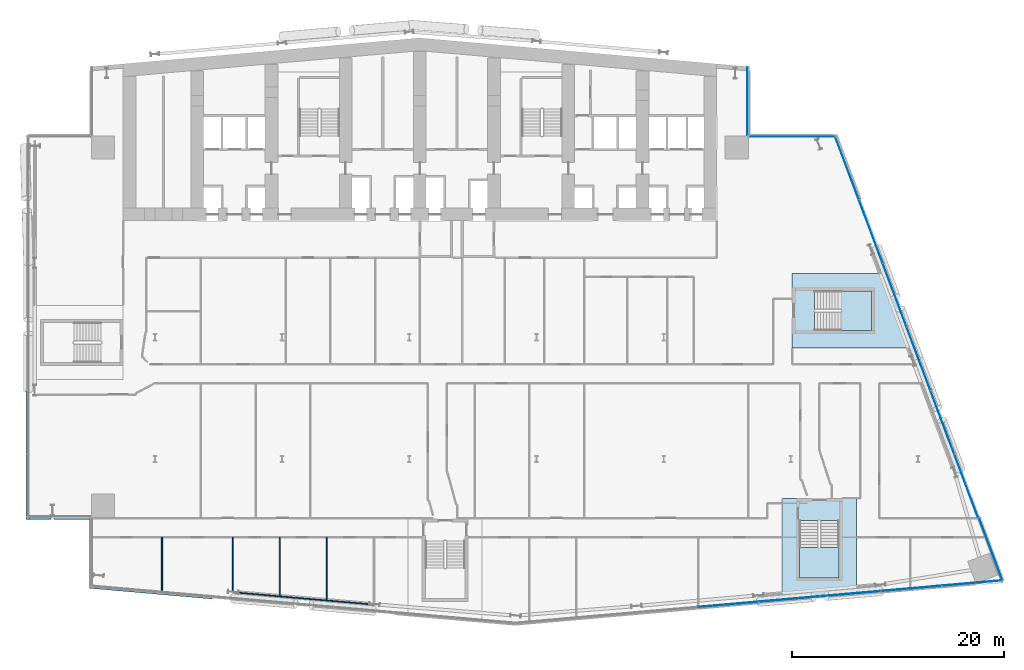
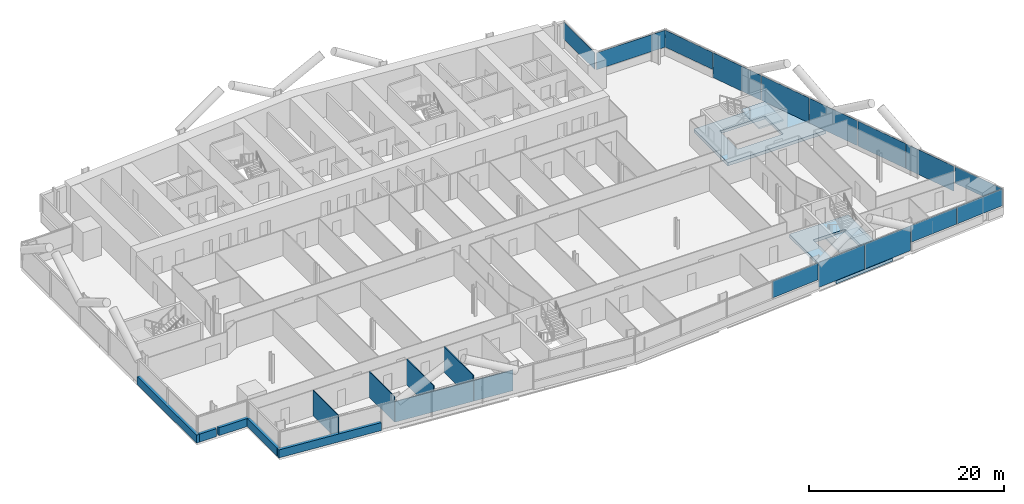
# One storey, part 12 of 28: 14 plates, 11 walls, 4 slabs, 6 elements without a shape of their own.
"""IFC4 building model written with IfcOpenShell, lengths in metres."""

from ifc_helpers import new_model, si_unit, direction, frame, frame_2d, origin, origin_2d, place, context, subcontext, project, spatial, polyline, rectangle, outline, extrude, material, layer, layer_set, type_object, element, aggregate, save


model = new_model("IFC4")

# Units and contexts
model_context = context("Model", 3, precision=1e-05, world=origin(), true_north=direction((0.0, 1.0)))
body_context = subcontext(model_context, "Body", "Model", "MODEL_VIEW")
ifc_project = project(units=[si_unit("LENGTHUNIT", "METRE"), si_unit("AREAUNIT", "SQUARE_METRE"), si_unit("VOLUMEUNIT", "CUBIC_METRE"), si_unit("PLANEANGLEUNIT", "RADIAN"), si_unit("MASSUNIT", "GRAM", prefix="KILO")], contexts=[model_context])

# Site, building, storey
site_placement = place(None, origin())
site = spatial("IfcSite", under=ifc_project, at=site_placement, CompositionType="ELEMENT")
building_placement = place(site_placement, origin())
building = spatial("IfcBuilding", under=site, at=building_placement, Name="Wharfspan Tower", CompositionType="ELEMENT")
storey_placement = place(building_placement, frame((0.0, 0.0, 59.5)))
storey = spatial("IfcBuildingStorey", under=building, at=storey_placement, Name="L11", CompositionType="ELEMENT", Elevation=59.5)

# Curtain wall, plates
ifc_material_1 = material(Name="Aluminium 6063-T6", Category="aluminium")
curtain_wall_type_1 = type_object("IfcCurtainWallType", Name="CURTAIN WALL FACETED FRONT", PredefinedType="NOTDEFINED", material=ifc_material_1)
curtain_wall_1_placement = place(storey_placement, origin())
curtain_wall_1 = element("IfcCurtainWall", 1, at=curtain_wall_1_placement, inside=storey, type_object=curtain_wall_type_1, Name="Curtain wall S2", PredefinedType="NOTDEFINED")
ifc_material_2 = material(Name="Glass clear low-iron double glazing", Category="glass")
ifc_layer_1 = layer(ifc_material_2, 0.040039)
ifc_layer_set_1 = layer_set([ifc_layer_1], Name="Glass clear low-iron double glazing")
plate_type_1 = type_object("IfcPlateType", Name="GLASS PANEL FACETED FRONT 40", PredefinedType="CURTAIN_PANEL", material=ifc_layer_set_1)
plate_1_placement = place(storey_placement, frame((66.119873, -2.204102, 1.0), z_axis=(0.0, 0.0, 1.0), x_axis=(0.996197, 0.087156, 0.0)))
plate_1 = element("IfcPlate", 2, at=plate_1_placement, type_object=plate_type_1, Name="Curtain wall S2 panel 4", PredefinedType="CURTAIN_PANEL", context=body_context, shape_type="SweptSolid", body=[
    extrude(rectangle(XDim=5.711914, YDim=0.040039, at=origin_2d()), origin(), (0.0, 0.0, 1.0), 2.120117),
])
plate_2_placement = place(storey_placement, frame((83.369873, -0.694824, 1.0), z_axis=(0.0, 0.0, 1.0), x_axis=(0.996197, 0.087156, 0.0)))
plate_2 = element("IfcPlate", 3, at=plate_2_placement, type_object=plate_type_1, Name="Curtain wall S2 panel 7", PredefinedType="CURTAIN_PANEL", context=body_context, shape_type="SweptSolid", body=[
    extrude(rectangle(XDim=5.711914, YDim=0.040039, at=origin_2d()), origin(), (0.0, 0.0, 1.0), 2.120117),
])
plate_3_placement = place(storey_placement, frame((89.104736, -0.193115, 1.0), z_axis=(0.0, 0.0, 1.0), x_axis=(0.996197, 0.087156, 0.0)))
plate_3 = element("IfcPlate", 4, at=plate_3_placement, type_object=plate_type_1, Name="Curtain wall S2 panel 8", PredefinedType="CURTAIN_PANEL", context=body_context, shape_type="SweptSolid", body=[
    extrude(rectangle(XDim=5.681885, YDim=0.040039, at=origin_2d()), origin(), (0.0, 0.0, 1.0), 2.120117),
])

curtain_wall_type_2 = type_object("IfcCurtainWallType", Name="CURTAIN WALL PROW AND END", PredefinedType="NOTDEFINED", material=ifc_material_1)
curtain_wall_2_placement = place(storey_placement, origin())
curtain_wall_2 = element("IfcCurtainWall", 5, at=curtain_wall_2_placement, inside=storey, type_object=curtain_wall_type_2, Name="Curtain wall E", PredefinedType="NOTDEFINED")
ifc_layer_2 = layer(ifc_material_2, 0.040039)
ifc_layer_set_2 = layer_set([ifc_layer_2], Name="Glass clear low-iron double glazing")
plate_type_2 = type_object("IfcPlateType", Name="GLASS PANEL PROW AND END 40", PredefinedType="CURTAIN_PANEL", material=ifc_layer_set_2)
plate_4_placement = place(storey_placement, frame((90.869629, 3.01416, 1.0), z_axis=(0.0, 0.0, 1.0), x_axis=(-0.351123, 0.936328, 0.0)))
plate_4 = element("IfcPlate", 6, at=plate_4_placement, type_object=plate_type_2, Name="Curtain wall E panel 1", PredefinedType="CURTAIN_PANEL", context=body_context, shape_type="SweptSolid", body=[
    extrude(rectangle(XDim=6.318115, YDim=0.040039, at=origin_2d()), origin(), (0.0, 0.0, 1.0), 2.120117),
])
plate_5_placement = place(storey_placement, frame((77.30542, 38.957764, 1.0), z_axis=(0.0, 0.0, 1.0), x_axis=(-0.351123, 0.936328, 0.0)))
plate_5 = element("IfcPlate", 7, at=plate_5_placement, type_object=plate_type_2, Name="Curtain wall E panel 7", PredefinedType="CURTAIN_PANEL", context=body_context, shape_type="SweptSolid", body=[
    extrude(rectangle(XDim=6.318115, YDim=0.040039, at=origin_2d()), origin(), (0.0, 0.0, 1.0), 2.120117),
])

# Curtain wall, plate
curtain_wall_3_placement = place(storey_placement, origin())
curtain_wall_3 = element("IfcCurtainWall", 8, at=curtain_wall_3_placement, inside=storey, type_object=curtain_wall_type_2, Name="Curtain wall NRE-H", PredefinedType="NOTDEFINED")
plate_6_placement = place(storey_placement, frame((72.125, 41.919922, 1.0), z_axis=(0.0, 0.0, 1.0), x_axis=(-1.0, 0.0, 0.0)))
plate_6 = element("IfcPlate", 9, at=plate_6_placement, type_object=plate_type_2, Name="Curtain wall NRE-H panel 1", PredefinedType="CURTAIN_PANEL", context=body_context, shape_type="SweptSolid", body=[
    extrude(rectangle(XDim=8.129883, YDim=0.040039, at=origin_2d()), origin(), (0.0, 0.0, 1.0), 2.120117),
])
aggregate(curtain_wall_3, [plate_6])

curtain_wall_4_placement = place(storey_placement, origin())
curtain_wall_4 = element("IfcCurtainWall", 10, at=curtain_wall_4_placement, inside=storey, type_object=curtain_wall_type_2, Name="Curtain wall NRE-V", PredefinedType="NOTDEFINED")
plate_7_placement = place(storey_placement, frame((67.919922, 45.262451, 1.0), z_axis=(0.0, 0.0, 1.0), x_axis=(0.0, 1.0, 0.0)))
plate_7 = element("IfcPlate", 11, at=plate_7_placement, type_object=plate_type_2, Name="Curtain wall NRE-V panel 1", PredefinedType="CURTAIN_PANEL", context=body_context, shape_type="SweptSolid", body=[
    extrude(rectangle(XDim=6.405029, YDim=0.040039, at=origin_2d()), origin(), (0.0, 0.0, 1.0), 2.120117),
])
aggregate(curtain_wall_4, [plate_7])

# Plate
ifc_material_3 = material(Name="Aluminium composite opaque insulated panel", Category="aluminium")
ifc_layer_3 = layer(ifc_material_3, 0.040039)
ifc_layer_set_3 = layer_set([ifc_layer_3], Name="Aluminium composite opaque insulated panel")
plate_type_3 = type_object("IfcPlateType", Name="INFILL PANEL FACETED FRONT OPAQUE 40", PredefinedType="SHEET", material=ifc_layer_set_3)
plate_8_placement = place(storey_placement, frame((71.869873, -1.700928, 0.0), z_axis=(0.0, 0.0, 1.0), x_axis=(0.996197, 0.087156, 0.0)))
plate_8 = element("IfcPlate", 12, at=plate_8_placement, type_object=plate_type_3, Name="Curtain wall S2 panel 5", PredefinedType="SHEET", context=body_context, shape_type="SweptSolid", body=[
    extrude(rectangle(XDim=5.711914, YDim=0.040039, at=origin_2d()), origin(), (0.0, 0.0, 1.0), 3.120117),
])

plate_9_placement = place(storey_placement, frame((77.619873, -1.197998, 0.0), z_axis=(0.0, 0.0, 1.0), x_axis=(0.996197, 0.087156, 0.0)))
plate_9 = element("IfcPlate", 13, at=plate_9_placement, type_object=plate_type_3, Name="Curtain wall S2 panel 6", PredefinedType="SHEET", context=body_context, shape_type="SweptSolid", body=[
    extrude(rectangle(XDim=5.711914, YDim=0.040039, at=origin_2d()), origin(), (0.0, 0.0, 1.0), 3.120117),
])

aggregate(curtain_wall_1, [plate_1, plate_8, plate_9, plate_2, plate_3])

ifc_layer_4 = layer(ifc_material_3, 0.040039)
ifc_layer_set_4 = layer_set([ifc_layer_4], Name="Aluminium composite opaque insulated panel")
plate_type_4 = type_object("IfcPlateType", Name="INFILL PANEL PROW AND END OPAQUE 40", PredefinedType="SHEET", material=ifc_layer_set_4)
plate_10_placement = place(storey_placement, frame((88.550049, 8.971924, 0.0), z_axis=(0.0, 0.0, 1.0), x_axis=(-0.351123, 0.936328, 0.0)))
plate_10 = element("IfcPlate", 14, at=plate_10_placement, type_object=plate_type_4, Name="Curtain wall E panel 2", PredefinedType="SHEET", context=body_context, shape_type="SweptSolid", body=[
    extrude(rectangle(XDim=6.3479, YDim=0.040039, at=origin_2d()), origin(), (0.0, 0.0, 1.0), 3.120117),
])

plate_11_placement = place(storey_placement, frame((86.300049, 14.971924, 0.0), z_axis=(0.0, 0.0, 1.0), x_axis=(-0.351123, 0.936328, 0.0)))
plate_11 = element("IfcPlate", 15, at=plate_11_placement, type_object=plate_type_4, Name="Curtain wall E panel 3", PredefinedType="SHEET", context=body_context, shape_type="SweptSolid", body=[
    extrude(rectangle(XDim=6.3479, YDim=0.040039, at=origin_2d()), origin(), (0.0, 0.0, 1.0), 3.120117),
])

plate_12_placement = place(storey_placement, frame((84.050049, 20.971924, 0.0), z_axis=(0.0, 0.0, 1.0), x_axis=(-0.351123, 0.936328, 0.0)))
plate_12 = element("IfcPlate", 16, at=plate_12_placement, type_object=plate_type_4, Name="Curtain wall E panel 4", PredefinedType="SHEET", context=body_context, shape_type="SweptSolid", body=[
    extrude(rectangle(XDim=6.3479, YDim=0.040039, at=origin_2d()), origin(), (0.0, 0.0, 1.0), 3.120117),
])

plate_13_placement = place(storey_placement, frame((81.800049, 26.971924, 0.0), z_axis=(0.0, 0.0, 1.0), x_axis=(-0.351123, 0.936328, 0.0)))
plate_13 = element("IfcPlate", 17, at=plate_13_placement, type_object=plate_type_4, Name="Curtain wall E panel 5", PredefinedType="SHEET", context=body_context, shape_type="SweptSolid", body=[
    extrude(rectangle(XDim=6.3479, YDim=0.040039, at=origin_2d()), origin(), (0.0, 0.0, 1.0), 3.120117),
])

plate_14_placement = place(storey_placement, frame((79.550049, 32.971924, 0.0), z_axis=(0.0, 0.0, 1.0), x_axis=(-0.351123, 0.936328, 0.0)))
plate_14 = element("IfcPlate", 18, at=plate_14_placement, type_object=plate_type_4, Name="Curtain wall E panel 6", PredefinedType="SHEET", context=body_context, shape_type="SweptSolid", body=[
    extrude(rectangle(XDim=6.3479, YDim=0.040039, at=origin_2d()), origin(), (0.0, 0.0, 1.0), 3.120117),
])

aggregate(curtain_wall_2, [plate_4, plate_10, plate_11, plate_12, plate_13, plate_14, plate_5])

# Slabs
ifc_material_4 = material(Name="Concrete C40/50", Category="concrete")
ifc_layer_5 = layer(ifc_material_4, 0.399902)
ifc_layer_set_5 = layer_set([ifc_layer_5], Name="Concrete C40/50")
slab_type_1 = type_object("IfcSlabType", Name="Post-tensioned flat slab 400", PredefinedType="FLOOR", material=ifc_layer_set_5)
slab_1_placement = place(storey_placement, frame((0.0, 0.0, -0.400146)))
element("IfcSlab", 19, at=slab_1_placement, inside=storey, type_object=slab_type_1, Name="Core floor slab L11 part 5", PredefinedType="FLOOR", context=body_context, shape_type="SweptSolid", body=[
    extrude(outline(polyline([(78.192383, 7.791992), (76.867432, 7.791992), (72.517578, 7.791992), (71.192383, 7.791992), (71.192383, -1.820312), (78.192383, -1.208008), (78.192383, 7.791992)]), holes=[polyline([(76.567383, 5.694092), (76.567627, 5.694092), (76.567871, 5.694092), (76.568115, 5.693848), (76.568115, 5.693848), (76.568359, 5.693848), (76.568604, 5.693604), (76.568604, 5.693604), (76.568848, 5.693359), (76.569092, 5.693359), (76.569092, 5.693115), (76.569092, 5.692871), (76.569336, 5.692871), (76.569336, 5.692627), (76.569336, 5.692383), (76.56958, 5.692139), (76.56958, 5.691895), (76.56958, 0.291992), (76.56958, 0.291748), (76.569336, 0.291504), (76.569336, 0.291504), (76.569336, 0.29126), (76.569092, 0.291016), (76.569092, 0.291016), (76.569092, 0.290771), (76.568848, 0.290527), (76.568604, 0.290527), (76.568604, 0.290283), (76.568359, 0.290283), (76.568115, 0.290283), (76.568115, 0.290039), (76.567871, 0.290039), (76.567627, 0.290039), (76.567383, 0.290039), (72.817383, 0.290039), (72.817383, 0.290039), (72.817139, 0.290039), (72.816895, 0.290039), (72.81665, 0.290283), (72.816406, 0.290283), (72.816406, 0.290283), (72.816162, 0.290527), (72.816162, 0.290527), (72.815918, 0.290771), (72.815918, 0.291016), (72.815674, 0.291016), (72.815674, 0.29126), (72.815674, 0.291504), (72.81543, 0.291504), (72.81543, 0.291748), (72.81543, 0.291992), (72.81543, 5.691895), (72.81543, 5.692139), (72.81543, 5.692383), (72.815674, 5.692627), (72.815674, 5.692871), (72.815674, 5.692871), (72.815918, 5.693115), (72.815918, 5.693359), (72.816162, 5.693359), (72.816162, 5.693604), (72.816406, 5.693604), (72.816406, 5.693848), (72.81665, 5.693848), (72.816895, 5.693848), (72.817139, 5.694092), (72.817383, 5.694092), (72.817383, 5.694092), (76.567383, 5.694092)])]), origin(), (0.0, 0.0, 1.0), 0.400146),
])
slab_2_placement = place(storey_placement, frame((0.0, 0.0, -0.400146)))
element("IfcSlab", 20, at=slab_2_placement, inside=storey, type_object=slab_type_1, Name="Core floor slab L11 part 6", PredefinedType="FLOOR", context=body_context, shape_type="SweptSolid", body=[
    extrude(outline(polyline([(81.125, 29.0), (72.125, 29.0), (72.125, 27.675049), (72.125, 23.324951), (72.125, 22.0), (83.75, 22.0), (81.125, 29.0)]), holes=[polyline([(74.2229, 27.375), (74.2229, 27.375244), (74.2229, 27.375488), (74.223145, 27.375488), (74.223145, 27.375732), (74.223145, 27.375977), (74.223389, 27.376221), (74.223389, 27.376221), (74.223633, 27.376465), (74.223633, 27.376465), (74.223877, 27.376709), (74.224121, 27.376709), (74.224121, 27.376709), (74.224365, 27.376953), (74.224609, 27.376953), (74.224854, 27.376953), (74.225098, 27.376953), (79.625, 27.376953), (79.625244, 27.376953), (79.625488, 27.376953), (79.625488, 27.376953), (79.625732, 27.376709), (79.625977, 27.376709), (79.626221, 27.376709), (79.626221, 27.376465), (79.626465, 27.376465), (79.626465, 27.376221), (79.626709, 27.376221), (79.626709, 27.375977), (79.626709, 27.375732), (79.626953, 27.375488), (79.626953, 27.375488), (79.626953, 27.375244), (79.626953, 27.375), (79.626953, 23.625), (79.626953, 23.624756), (79.626953, 23.624512), (79.626953, 23.624512), (79.626709, 23.624268), (79.626709, 23.624023), (79.626709, 23.623779), (79.626465, 23.623779), (79.626465, 23.623535), (79.626221, 23.623535), (79.626221, 23.623291), (79.625977, 23.623291), (79.625732, 23.623291), (79.625488, 23.623047), (79.625488, 23.623047), (79.625244, 23.623047), (79.625, 23.623047), (74.225098, 23.623047), (74.224854, 23.623047), (74.224609, 23.623047), (74.224365, 23.623047), (74.224121, 23.623291), (74.224121, 23.623291), (74.223877, 23.623291), (74.223633, 23.623535), (74.223633, 23.623535), (74.223389, 23.623779), (74.223389, 23.623779), (74.223145, 23.624023), (74.223145, 23.624268), (74.223145, 23.624512), (74.2229, 23.624512), (74.2229, 23.624756), (74.2229, 23.625), (74.2229, 27.375)])]), origin(), (0.0, 0.0, 1.0), 0.400146),
])

# Stair, slab
stair_type = type_object("IfcStairType", Name="Half-turn stair 20 risers 180 mm", PredefinedType="HALF_TURN_STAIR", material=ifc_material_4)
stair_1_placement = place(storey_placement, origin())
stair_1 = element("IfcStair", 21, at=stair_1_placement, inside=storey, type_object=stair_type, Name="L11 stair ST5", PredefinedType="HALF_TURN_STAIR")
ifc_layer_6 = layer(ifc_material_4, 0.199951)
ifc_layer_set_6 = layer_set([ifc_layer_6], Name="Concrete C40/50")
slab_type_2 = type_object("IfcSlabType", Name="Stair landing 200", PredefinedType="LANDING", material=ifc_layer_set_6)
slab_3_placement = place(storey_placement, frame((0.0, 0.0, 1.599854)))
slab_3 = element("IfcSlab", 22, at=slab_3_placement, type_object=slab_type_2, Name="ST5 landing 1", PredefinedType="LANDING", context=body_context, shape_type="SweptSolid", body=[
    extrude(outline(polyline([(72.817383, 3.172119), (72.817383, 0.291992), (76.567383, 0.291992), (76.567383, 3.172119), (72.817383, 3.172119)])), origin(), (0.0, 0.0, 1.0), 0.200195),
])
aggregate(stair_1, [slab_3])

stair_2_placement = place(storey_placement, origin())
stair_2 = element("IfcStair", 23, at=stair_2_placement, inside=storey, type_object=stair_type, Name="L11 stair ST6", PredefinedType="HALF_TURN_STAIR")
slab_4_placement = place(storey_placement, frame((0.0, 0.0, 1.599854)))
slab_4 = element("IfcSlab", 24, at=slab_4_placement, type_object=slab_type_2, Name="ST6 landing 1", PredefinedType="LANDING", context=body_context, shape_type="SweptSolid", body=[
    extrude(outline(polyline([(76.745117, 23.625), (79.625, 23.625), (79.625, 27.375), (76.745117, 27.375), (76.745117, 23.625)])), origin(), (0.0, 0.0, 1.0), 0.200195),
])
aggregate(stair_2, [slab_4])

# Walls
ifc_material_5 = material(Name="Gypsum board on steel studs", Category="steel")
ifc_layer_7 = layer(ifc_material_5, 0.100098)
ifc_layer_set_7 = layer_set([ifc_layer_7], Name="Gypsum board on steel studs")
wall_type_1 = type_object("IfcWallType", Name="Compartment wall 100 EI 60", PredefinedType="PARTITIONING", material=ifc_layer_set_7)
wall_1_placement = place(storey_placement, frame((12.669922, -1.088379, 0.0), z_axis=(0.0, 0.0, 1.0), x_axis=(0.0, 1.0, 0.0)))
element("IfcWall", 25, at=wall_1_placement, inside=storey, type_object=wall_type_1, Name="Partition L11.w019", PredefinedType="PARTITIONING", context=body_context, shape_type="SweptSolid", body=[
    extrude(rectangle(XDim=5.208496, YDim=0.100098, at=frame_2d((2.604248, 0.0))), origin(), (0.0, 0.0, 1.0), 3.199951),
])
wall_2_placement = place(storey_placement, frame((19.334961, -1.060059, 0.0), z_axis=(0.0, 0.0, 1.0), x_axis=(0.0, 1.0, 0.0)))
element("IfcWall", 26, at=wall_2_placement, inside=storey, type_object=wall_type_1, Name="Partition L11.w022", PredefinedType="PARTITIONING", context=body_context, shape_type="SweptSolid", body=[
    extrude(rectangle(XDim=5.180176, YDim=0.100098, at=frame_2d((2.590088, 0.0))), origin(), (0.0, 0.0, 1.0), 3.199951),
])
wall_3_placement = place(storey_placement, frame((23.780029, -1.449951, 0.0), z_axis=(0.0, 0.0, 1.0), x_axis=(0.0, 1.0, 0.0)))
element("IfcWall", 27, at=wall_3_placement, inside=storey, type_object=wall_type_1, Name="Partition L11.w024", PredefinedType="PARTITIONING", context=body_context, shape_type="SweptSolid", body=[
    extrude(rectangle(XDim=5.570068, YDim=0.100098, at=frame_2d((2.785156, 0.0))), origin(), (0.0, 0.0, 1.0), 3.199951),
])
wall_4_placement = place(storey_placement, frame((28.225098, -1.840088, 0.0), z_axis=(0.0, 0.0, 1.0), x_axis=(0.0, 1.0, 0.0)))
element("IfcWall", 28, at=wall_4_placement, inside=storey, type_object=wall_type_1, Name="Partition L11.w028", PredefinedType="PARTITIONING", context=body_context, shape_type="SweptSolid", body=[
    extrude(rectangle(XDim=5.960205, YDim=0.100098, at=frame_2d((2.97998, 0.0))), origin(), (0.0, 0.0, 1.0), 3.199951),
])
ifc_layer_8 = layer(ifc_material_5, 0.100098)
ifc_layer_set_8 = layer_set([ifc_layer_8], Name="Gypsum board on steel studs")
wall_type_2 = type_object("IfcWallType", Name="Partition 100", PredefinedType="PARTITIONING", material=ifc_layer_set_8)
wall_5_placement = place(storey_placement, frame((28.219971, -1.840088, 0.0), z_axis=(0.0, 0.0, 1.0), x_axis=(-0.996164, 0.087512, 0.0)))
element("IfcWall", 29, at=wall_5_placement, inside=storey, type_object=wall_type_2, Name="Partition L11.w027", PredefinedType="PARTITIONING", context=body_context, shape_type="SweptSolid", body=[
    extrude(rectangle(XDim=8.918945, YDim=0.100098, at=frame_2d((4.459473, 0.0))), origin(), (0.0, 0.0, 1.0), 2.580078),
])
wall_6_placement = place(storey_placement, frame((32.665039, -2.225098, 0.0), z_axis=(0.0, 0.0, 1.0), x_axis=(-0.996263, 0.086391, 0.0)))
element("IfcWall", 30, at=wall_6_placement, inside=storey, type_object=wall_type_2, Name="Partition L11.w030", PredefinedType="PARTITIONING", context=body_context, shape_type="SweptSolid", body=[
    extrude(rectangle(XDim=4.456543, YDim=0.100098, at=frame_2d((2.228271, 0.0))), origin(), (0.0, 0.0, 1.0), 2.580078),
])
ifc_layer_9 = layer(ifc_material_4, 0.350098)
ifc_layer_set_9 = layer_set([ifc_layer_9], Name="Concrete C40/50")
wall_type_3 = type_object("IfcWallType", Name="SPANDREL EXPOSED CONCRETE 350", PredefinedType="SOLIDWALL", material=ifc_layer_set_9)
wall_7_placement = place(storey_placement, frame((5.835205, -0.515625, 0.0), z_axis=(0.0, 0.0, 1.0), x_axis=(0.996192, -0.087142, 0.0)))
element("IfcWall", 31, at=wall_7_placement, inside=storey, type_object=wall_type_3, Name="Spandrel upstand L11 S1 1", PredefinedType="SOLIDWALL", context=body_context, shape_type="SweptSolid", body=[
    extrude(rectangle(XDim=11.607178, YDim=0.350098, at=frame_2d((5.803711, 0.0))), origin(), (0.0, 0.0, 1.0), 1.0),
])
wall_8_placement = place(storey_placement, frame((-0.004883, 17.969971, 0.0), z_axis=(0.0, 0.0, 1.0), x_axis=(0.0, -1.0, 0.0)))
element("IfcWall", 32, at=wall_8_placement, inside=storey, type_object=wall_type_3, Name="Spandrel upstand L11 W", PredefinedType="SOLIDWALL", context=body_context, shape_type="SweptSolid", body=[
    extrude(rectangle(XDim=12.149902, YDim=0.350098, at=frame_2d((6.074951, 0.0))), origin(), (0.0, 0.0, 1.0), 1.0),
])
wall_9_placement = place(storey_placement, frame((0.169922, 5.995117, 0.0), z_axis=(0.0, 0.0, 1.0), x_axis=(1.0, 0.0, 0.0)))
element("IfcWall", 33, at=wall_9_placement, inside=storey, type_object=wall_type_3, Name="Spandrel upstand L11 NFW-H", PredefinedType="SOLIDWALL", context=body_context, shape_type="SweptSolid", body=[
    extrude(rectangle(XDim=2.010742, YDim=0.350098, at=frame_2d((1.005371, 0.0))), origin(), (0.0, 0.0, 1.0), 1.0),
])
wall_10_placement = place(storey_placement, frame((2.482666, 5.995117, 0.0), z_axis=(0.0, 0.0, 1.0), x_axis=(1.0, 0.0, 0.0)))
element("IfcWall", 34, at=wall_10_placement, inside=storey, type_object=wall_type_3, Name="Spandrel upstand L11 NFW-H 2", PredefinedType="SOLIDWALL", context=body_context, shape_type="SweptSolid", body=[
    extrude(rectangle(XDim=3.517334, YDim=0.350098, at=frame_2d((1.758789, 0.0))), origin(), (0.0, 0.0, 1.0), 1.0),
])
wall_11_placement = place(storey_placement, frame((5.995117, 5.820068, 0.0), z_axis=(0.0, 0.0, 1.0), x_axis=(0.0, -1.0, 0.0)))
element("IfcWall", 35, at=wall_11_placement, inside=storey, type_object=wall_type_3, Name="Spandrel upstand L11 NFW-V", PredefinedType="SOLIDWALL", context=body_context, shape_type="SweptSolid", body=[
    extrude(rectangle(XDim=6.161377, YDim=0.350098, at=frame_2d((3.080566, 0.0))), origin(), (0.0, 0.0, 1.0), 1.0),
])

save(model, "model.ifc")
